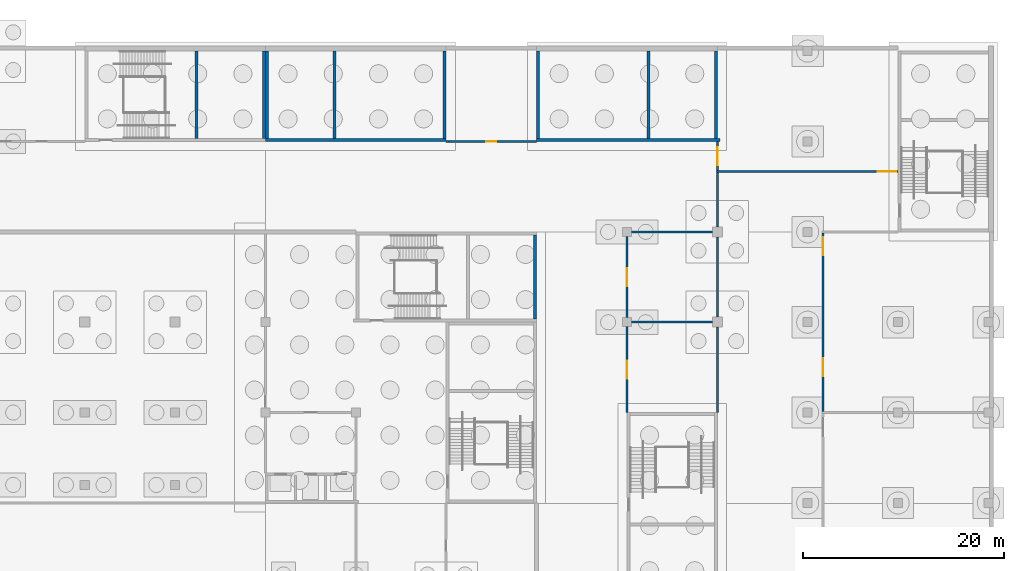
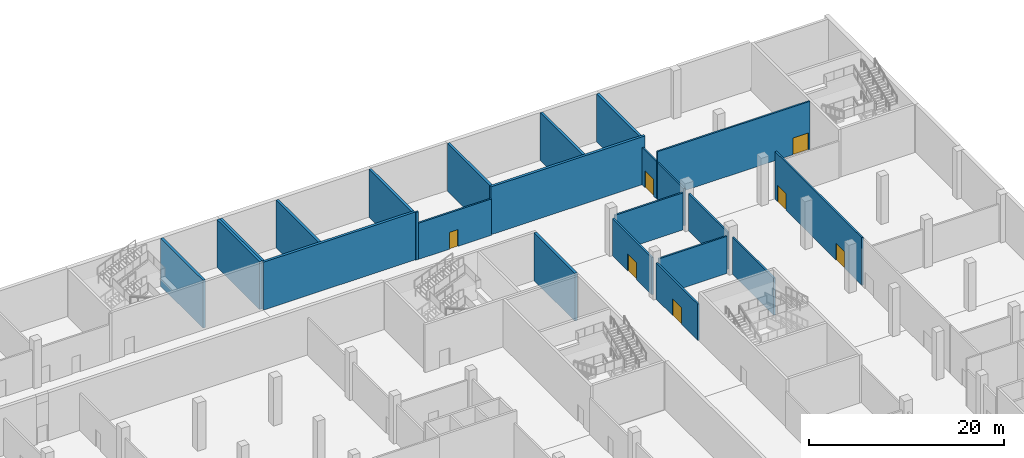
# One storey, part 21 of 42: 23 walls, 7 doors, 7 openings.
"""IFC4 building model written with IfcOpenShell, lengths in metres."""

from ifc_helpers import new_model, si_unit, direction, frame, frame_2d, origin, place, context, subcontext, project, spatial, rectangle, extrude, material, layer, layer_set, type_object, element, fill, save


model = new_model("IFC4")

# Units and contexts
model_context = context("Model", 3, precision=1e-05, world=origin(), true_north=direction((0.0, 1.0)))
body_context = subcontext(model_context, "Body", "Model", "MODEL_VIEW")
ifc_project = project(units=[si_unit("LENGTHUNIT", "METRE"), si_unit("AREAUNIT", "SQUARE_METRE"), si_unit("VOLUMEUNIT", "CUBIC_METRE"), si_unit("PLANEANGLEUNIT", "RADIAN"), si_unit("MASSUNIT", "GRAM", prefix="KILO")], contexts=[model_context])

# Site, building, storey
site_placement = place(None, origin())
site = spatial("IfcSite", under=ifc_project, at=site_placement, CompositionType="ELEMENT")
building_placement = place(site_placement, origin())
building = spatial("IfcBuilding", under=site, at=building_placement, Name="Silverbay Arena", CompositionType="ELEMENT")
storey_placement = place(building_placement, frame((0.0, 0.0, -6.0)))
storey = spatial("IfcBuildingStorey", under=building, at=storey_placement, Name="B1", CompositionType="ELEMENT", Elevation=-6.0)

# Walls
ifc_material_1 = material(Name="Concrete Grade C45", Category="concrete")
ifc_layer_1 = layer(ifc_material_1, 0.300048828125)
ifc_layer_set_1 = layer_set([ifc_layer_1], Name="Concrete Grade C45")
wall_type_1 = type_object("IfcWallType", Name="Core wall RC 300 EI 240", PredefinedType="SHEAR", material=ifc_layer_set_1)
for number, where, z_axis, x_axis, name in (
    (1, (161.85009765625, 135.300048828125, 0.0), (0.0, 0.0, 1.0), (0.0, 1.0, 0.0), "Core wall ST-N3 B1 end 2"),
    (2, (155.14990234375, 135.300048828125, 0.0), (0.0, 0.0, 1.0), (0.0, 1.0, 0.0), "Core wall ST-N3 B1 stair enclosure"),
):
    element("IfcWall", number, at=place(storey_placement, frame(where, z_axis=z_axis, x_axis=x_axis)), inside=storey, type_object=wall_type_1, Name=name, PredefinedType="SHEAR", context=body_context, shape_type="SweptSolid", body=[
        extrude(rectangle(XDim=8.699951171875, YDim=0.300048828125, at=frame_2d((4.35009765625, 0.0))), origin(), (0.0, 0.0, 1.0), 6.0),
    ])
wall_1_placement = place(storey_placement, frame((180.0, 135.14990234375, 0.0), z_axis=(0.0, 0.0, 1.0), x_axis=(-1.0, 0.0, 0.0)))
element("IfcWall", 3, at=wall_1_placement, inside=storey, type_object=wall_type_1, Name="Core wall ST-N4 B1 door side", PredefinedType="SHEAR", context=body_context, shape_type="SweptSolid", body=[
    extrude(rectangle(XDim=18.0, YDim=0.300048828125, at=frame_2d((9.0, 0.0))), origin(), (0.0, 0.0, 1.0), 6.0),
])
for number, where, z_axis, x_axis, name in (
    (4, (179.85009765625, 135.300048828125, 0.0), (0.0, 0.0, 1.0), (0.0, 1.0, 0.0), "Core wall ST-N4 B1 end 1"),
    (5, (162.14990234375, 135.300048828125, 0.0), (0.0, 0.0, 1.0), (0.0, 1.0, 0.0), "Core wall ST-N4 B1 end 2"),
    (6, (168.85009765625, 135.300048828125, 0.0), (0.0, 0.0, 1.0), (0.0, 1.0, 0.0), "Core wall ST-N4 B1 stair enclosure"),
):
    element("IfcWall", number, at=place(storey_placement, frame(where, z_axis=z_axis, x_axis=x_axis)), inside=storey, type_object=wall_type_1, Name=name, PredefinedType="SHEAR", context=body_context, shape_type="SweptSolid", body=[
        extrude(rectangle(XDim=8.699951171875, YDim=0.300048828125, at=frame_2d((4.35009765625, 0.0))), origin(), (0.0, 0.0, 1.0), 6.0),
    ])
wall_2_placement = place(storey_placement, frame((189.0, 135.14990234375, 0.0), z_axis=(0.0, 0.0, 1.0), x_axis=(1.0, 0.0, 0.0)))
element("IfcWall", 7, at=wall_2_placement, inside=storey, type_object=wall_type_1, Name="Core wall ST-N6 B1 door side", PredefinedType="SHEAR", context=body_context, shape_type="SweptSolid", body=[
    extrude(rectangle(XDim=18.25, YDim=0.300048828125, at=frame_2d((9.125, 0.0))), origin(), (0.0, 0.0, 1.0), 6.0),
])
for number, where, z_axis, x_axis, name in (
    (8, (189.14990234375, 135.300048828125, 0.0), (0.0, 0.0, 1.0), (0.0, 1.0, 0.0), "Core wall ST-N6 B1 end 1"),
    (9, (206.85009765625, 135.300048828125, 0.0), (0.0, 0.0, 1.0), (0.0, 1.0, 0.0), "Core wall ST-N6 B1 end 2"),
    (10, (200.14990234375, 135.300048828125, 0.0), (0.0, 0.0, 1.0), (0.0, 1.0, 0.0), "Core wall ST-N6 B1 stair enclosure"),
):
    element("IfcWall", number, at=place(storey_placement, frame(where, z_axis=z_axis, x_axis=x_axis)), inside=storey, type_object=wall_type_1, Name=name, PredefinedType="SHEAR", context=body_context, shape_type="SweptSolid", body=[
        extrude(rectangle(XDim=8.699951171875, YDim=0.300048828125, at=frame_2d((4.35009765625, 0.0))), origin(), (0.0, 0.0, 1.0), 6.0),
    ])
wall_3_placement = place(storey_placement, frame((188.85009765625, 117.300048828125, 0.0), z_axis=(0.0, 0.0, 1.0), x_axis=(0.0, 1.0, 0.0)))
element("IfcWall", 11, at=wall_3_placement, inside=storey, type_object=wall_type_1, Name="Core wall ST-NE1 B1 end 2", PredefinedType="SHEAR", context=body_context, shape_type="SweptSolid", body=[
    extrude(rectangle(XDim=8.39990234375, YDim=0.300048828125, at=frame_2d((4.199951171875, 0.0))), origin(), (0.0, 0.0, 1.0), 6.0),
])
ifc_material_2 = material(Name="Masonry blockwork partition", Category="masonry")
ifc_layer_2 = layer(ifc_material_2, 0.199951171875)
ifc_layer_set_2 = layer_set([ifc_layer_2], Name="Masonry blockwork partition")
wall_type_2 = type_object("IfcWallType", Name="Partition 200 EI 240", PredefinedType="PARTITIONING", material=ifc_layer_set_2)
for number, where, z_axis, x_axis, name in (
    (12, (198.449951171875, 117.0, 0.0), (0.0, 0.0, 1.0), (1.0, 0.0, 0.0), "Partition wall"),
    (13, (198.449951171875, 126.0, 0.0), (0.0, 0.0, 1.0), (1.0, 0.0, 0.0), "Partition wall"),
):
    element("IfcWall", number, at=place(storey_placement, frame(where, z_axis=z_axis, x_axis=x_axis)), inside=storey, type_object=wall_type_2, Name=name, PredefinedType="PARTITIONING", context=body_context, shape_type="SweptSolid", body=[
        extrude(rectangle(XDim=8.050048828125, YDim=0.199951171875, at=frame_2d((4.02490234375, 0.0))), origin(), (0.0, 0.0, 1.0), 4.64990234375),
    ])

# Wall, opening, door
wall_4_placement = place(storey_placement, frame((206.89990234375, 132.0, 0.0), z_axis=(0.0, 0.0, 1.0), x_axis=(1.0, 0.0, 0.0)))
wall_4 = element("IfcWall", 14, at=wall_4_placement, inside=storey, type_object=wall_type_2, Name="Partition wall", PredefinedType="PARTITIONING", context=body_context, shape_type="SweptSolid", body=[
    extrude(rectangle(XDim=18.10009765625, YDim=0.199951171875, at=frame_2d((9.050048828125, 0.0))), origin(), (0.0, 0.0, 1.0), 6.0),
])
opening_1_placement = place(wall_4_placement, frame((16.10009765625, 0.0, 0.0)))
opening_1 = element("IfcOpeningElement", 15, at=opening_1_placement, cuts=wall_4, Name="Opening B1-069", PredefinedType="OPENING", context=body_context, shape_type="SweptSolid", body=[
    extrude(rectangle(XDim=1.800048828125, YDim=2.10009765625, at=frame_2d((0.89990234375, 1.050048828125))), frame((0.0, 0.10986328125, 0.0), z_axis=(0.0, -1.0, 0.0), x_axis=(1.0, 0.0, 0.0)), (0.0, 0.0, 1.0), 0.219970703125),
])
ifc_material_3 = material(Name="Steel faced timber", Category="steel")
door_type_1 = type_object("IfcDoorType", Name="Double leaf door 1800 x 2100 FD240", OperationType="DOUBLE_DOOR_DOUBLE_SWING", PredefinedType="DOOR", material=ifc_material_3)
door_1_placement = place(opening_1_placement, origin())
door_1 = element("IfcDoor", 16, at=door_1_placement, inside=storey, type_object=door_type_1, Name="Door B1-069", OperationType="DOUBLE_DOOR_DOUBLE_SWING", OverallHeight=2.10009765625, OverallWidth=1.800048828125, PredefinedType="DOOR", context=body_context, shape_type="SweptSolid", body=[
    extrude(rectangle(XDim=1.800048828125, YDim=2.10009765625, at=frame_2d((0.89990234375, 1.050048828125))), frame((0.0, 0.02490234375, 0.0), z_axis=(0.0, -1.0, 0.0), x_axis=(1.0, 0.0, 0.0)), (0.0, 0.0, 1.0), 0.050048828125),
])
fill(opening_1, door_1)

wall_5_placement = place(storey_placement, frame((180.300048828125, 135.0, 0.0), z_axis=(0.0, 0.0, 1.0), x_axis=(1.0, 0.0, 0.0)))
wall_5 = element("IfcWall", 17, at=wall_5_placement, inside=storey, type_object=wall_type_2, Name="Partition wall", PredefinedType="PARTITIONING", context=body_context, shape_type="SweptSolid", body=[
    extrude(rectangle(XDim=8.699951171875, YDim=0.199951171875, at=frame_2d((4.35009765625, 0.0))), origin(), (0.0, 0.0, 1.0), 4.550048828125),
])
opening_2_placement = place(wall_5_placement, frame((3.699951171875, 0.0, 0.0)))
opening_2 = element("IfcOpeningElement", 18, at=opening_2_placement, cuts=wall_5, Name="Opening B1-010", PredefinedType="OPENING", context=body_context, shape_type="SweptSolid", body=[
    extrude(rectangle(XDim=1.0, YDim=2.10009765625, at=frame_2d((0.5, 1.050048828125))), frame((0.0, 0.10986328125, 0.0), z_axis=(0.0, -1.0, 0.0), x_axis=(1.0, 0.0, 0.0)), (0.0, 0.0, 1.0), 0.219970703125),
])
ifc_material_4 = material(Name="Steel faced timber", Category="steel")
door_type_2 = type_object("IfcDoorType", Name="Single leaf door 1000 x 2100 FD120", OperationType="SINGLE_SWING_LEFT", PredefinedType="DOOR", material=ifc_material_4)
door_2_placement = place(opening_2_placement, origin())
door_2 = element("IfcDoor", 19, at=door_2_placement, inside=storey, type_object=door_type_2, Name="Door B1-010", OperationType="SINGLE_SWING_RIGHT", OverallHeight=2.10009765625, OverallWidth=1.0, PredefinedType="DOOR", context=body_context, shape_type="SweptSolid", body=[
    extrude(rectangle(XDim=1.0, YDim=2.10009765625, at=frame_2d((0.5, 1.050048828125))), frame((0.0, 0.02490234375, 0.0), z_axis=(0.0, -1.0, 0.0), x_axis=(1.0, 0.0, 0.0)), (0.0, 0.0, 1.0), 0.050048828125),
])
fill(opening_2, door_2)

wall_6_placement = place(storey_placement, frame((198.0, 108.0, 0.0), z_axis=(0.0, 0.0, 1.0), x_axis=(0.0, 1.0, 0.0)))
wall_6 = element("IfcWall", 20, at=wall_6_placement, inside=storey, type_object=wall_type_2, Name="Partition wall", PredefinedType="PARTITIONING", context=body_context, shape_type="SweptSolid", body=[
    extrude(rectangle(XDim=8.550048828125, YDim=0.199951171875, at=frame_2d((4.27490234375, 0.0))), origin(), (0.0, 0.0, 1.0), 4.550048828125),
])
opening_3_placement = place(wall_6_placement, frame((3.375, 0.0, 0.0)))
opening_3 = element("IfcOpeningElement", 21, at=opening_3_placement, cuts=wall_6, Name="Opening B1-019", PredefinedType="OPENING", context=body_context, shape_type="SweptSolid", body=[
    extrude(rectangle(XDim=1.800048828125, YDim=2.10009765625, at=frame_2d((0.89990234375, 1.050048828125))), frame((0.0, 0.10986328125, 0.0), z_axis=(0.0, -1.0, 0.0), x_axis=(1.0, 0.0, 0.0)), (0.0, 0.0, 1.0), 0.219970703125),
])
ifc_material_5 = material(Name="Steel faced timber", Category="steel")
door_type_3 = type_object("IfcDoorType", Name="Double leaf door 1800 x 2100 FD120", OperationType="DOUBLE_DOOR_DOUBLE_SWING", PredefinedType="DOOR", material=ifc_material_5)
door_3_placement = place(opening_3_placement, frame((1.800048828125, 0.0, 0.0), z_axis=(0.0, 0.0, 1.0), x_axis=(-1.0, 0.0, 0.0)))
door_3 = element("IfcDoor", 22, at=door_3_placement, inside=storey, type_object=door_type_3, Name="Door B1-019", OperationType="DOUBLE_DOOR_DOUBLE_SWING", OverallHeight=2.10009765625, OverallWidth=1.800048828125, PredefinedType="DOOR", context=body_context, shape_type="SweptSolid", body=[
    extrude(rectangle(XDim=1.800048828125, YDim=2.10009765625, at=frame_2d((0.89990234375, 1.050048828125))), frame((0.0, 0.02490234375, 0.0), z_axis=(0.0, -1.0, 0.0), x_axis=(1.0, 0.0, 0.0)), (0.0, 0.0, 1.0), 0.050048828125),
])
fill(opening_3, door_3)

wall_7_placement = place(storey_placement, frame((198.0, 117.449951171875, 0.0), z_axis=(0.0, 0.0, 1.0), x_axis=(0.0, 1.0, 0.0)))
wall_7 = element("IfcWall", 23, at=wall_7_placement, inside=storey, type_object=wall_type_2, Name="Partition wall", PredefinedType="PARTITIONING", context=body_context, shape_type="SweptSolid", body=[
    extrude(rectangle(XDim=8.10009765625, YDim=0.199951171875, at=frame_2d((4.050048828125, 0.0))), origin(), (0.0, 0.0, 1.0), 4.64990234375),
])
opening_4_placement = place(wall_7_placement, frame((3.14990234375, 0.0, 0.0)))
opening_4 = element("IfcOpeningElement", 24, at=opening_4_placement, cuts=wall_7, Name="Opening B1-020", PredefinedType="OPENING", context=body_context, shape_type="SweptSolid", body=[
    extrude(rectangle(XDim=1.800048828125, YDim=2.10009765625, at=frame_2d((0.89990234375, 1.050048828125))), frame((0.0, 0.10986328125, 0.0), z_axis=(0.0, -1.0, 0.0), x_axis=(1.0, 0.0, 0.0)), (0.0, 0.0, 1.0), 0.219970703125),
])
door_4_placement = place(opening_4_placement, frame((1.800048828125, 0.0, 0.0), z_axis=(0.0, 0.0, 1.0), x_axis=(-1.0, 0.0, 0.0)))
door_4 = element("IfcDoor", 25, at=door_4_placement, inside=storey, type_object=door_type_3, Name="Door B1-020", OperationType="DOUBLE_DOOR_DOUBLE_SWING", OverallHeight=2.10009765625, OverallWidth=1.800048828125, PredefinedType="DOOR", context=body_context, shape_type="SweptSolid", body=[
    extrude(rectangle(XDim=1.800048828125, YDim=2.10009765625, at=frame_2d((0.89990234375, 1.050048828125))), frame((0.0, 0.02490234375, 0.0), z_axis=(0.0, -1.0, 0.0), x_axis=(1.0, 0.0, 0.0)), (0.0, 0.0, 1.0), 0.050048828125),
])
fill(opening_4, door_4)

# Walls
wall_8_placement = place(storey_placement, frame((207.0, 108.0, 0.0), z_axis=(0.0, 0.0, 1.0), x_axis=(0.0, 1.0, 0.0)))
element("IfcWall", 26, at=wall_8_placement, inside=storey, type_object=wall_type_2, Name="Partition wall", PredefinedType="PARTITIONING", context=body_context, shape_type="SweptSolid", body=[
    extrude(rectangle(XDim=8.5, YDim=0.199951171875, at=frame_2d((4.25, 0.0))), origin(), (0.0, 0.0, 1.0), 4.64990234375),
])
wall_9_placement = place(storey_placement, frame((207.0, 117.5, 0.0), z_axis=(0.0, 0.0, 1.0), x_axis=(0.0, 1.0, 0.0)))
element("IfcWall", 27, at=wall_9_placement, inside=storey, type_object=wall_type_2, Name="Partition wall", PredefinedType="PARTITIONING", context=body_context, shape_type="SweptSolid", body=[
    extrude(rectangle(XDim=8.0, YDim=0.199951171875, at=frame_2d((4.0, 0.0))), origin(), (0.0, 0.0, 1.0), 4.64990234375),
])
wall_10_placement = place(storey_placement, frame((207.0, 126.5, 0.0), z_axis=(0.0, 0.0, 1.0), x_axis=(0.0, 1.0, 0.0)))
element("IfcWall", 28, at=wall_10_placement, inside=storey, type_object=wall_type_2, Name="Partition wall", PredefinedType="PARTITIONING", context=body_context, shape_type="SweptSolid", body=[
    extrude(rectangle(XDim=5.39990234375, YDim=0.199951171875, at=frame_2d((2.699951171875, 0.0))), origin(), (0.0, 0.0, 1.0), 4.64990234375),
])

# Wall, opening, door
wall_11_placement = place(storey_placement, frame((207.0, 132.10009765625, 0.0), z_axis=(0.0, 0.0, 1.0), x_axis=(0.0, 1.0, 0.0)))
wall_11 = element("IfcWall", 29, at=wall_11_placement, inside=storey, type_object=wall_type_2, Name="Partition wall", PredefinedType="PARTITIONING", context=body_context, shape_type="SweptSolid", body=[
    extrude(rectangle(XDim=2.89990234375, YDim=0.199951171875, at=frame_2d((1.449951171875, 0.0))), origin(), (0.0, 0.0, 1.0), 4.64990234375),
])
opening_5_placement = place(wall_11_placement, frame((0.550048828125, 0.0, 0.0)))
opening_5 = element("IfcOpeningElement", 30, at=opening_5_placement, cuts=wall_11, Name="Opening B1-036", PredefinedType="OPENING", context=body_context, shape_type="SweptSolid", body=[
    extrude(rectangle(XDim=1.800048828125, YDim=2.10009765625, at=frame_2d((0.89990234375, 1.050048828125))), frame((0.0, 0.10986328125, 0.0), z_axis=(0.0, -1.0, 0.0), x_axis=(1.0, 0.0, 0.0)), (0.0, 0.0, 1.0), 0.219970703125),
])
door_5_placement = place(opening_5_placement, frame((1.800048828125, 0.0, 0.0), z_axis=(0.0, 0.0, 1.0), x_axis=(-1.0, 0.0, 0.0)))
door_5 = element("IfcDoor", 31, at=door_5_placement, inside=storey, type_object=door_type_3, Name="Door B1-036", OperationType="DOUBLE_DOOR_DOUBLE_SWING", OverallHeight=2.10009765625, OverallWidth=1.800048828125, PredefinedType="DOOR", context=body_context, shape_type="SweptSolid", body=[
    extrude(rectangle(XDim=1.800048828125, YDim=2.10009765625, at=frame_2d((0.89990234375, 1.050048828125))), frame((0.0, 0.02490234375, 0.0), z_axis=(0.0, -1.0, 0.0), x_axis=(1.0, 0.0, 0.0)), (0.0, 0.0, 1.0), 0.050048828125),
])
fill(opening_5, door_5)

# Wall, openings, doors
wall_12_placement = place(storey_placement, frame((217.5, 108.10009765625, 0.0), z_axis=(0.0, 0.0, 1.0), x_axis=(0.0, 1.0, 0.0)))
wall_12 = element("IfcWall", 32, at=wall_12_placement, inside=storey, type_object=wall_type_2, Name="Partition wall", PredefinedType="PARTITIONING", context=body_context, shape_type="SweptSolid", body=[
    extrude(rectangle(XDim=17.7998046875, YDim=0.199951171875, at=frame_2d((8.89990234375, 0.0))), origin(), (0.0, 0.0, 1.0), 6.0),
])
opening_6_placement = place(wall_12_placement, frame((3.5, 0.0, 0.0)))
opening_6 = element("IfcOpeningElement", 33, at=opening_6_placement, cuts=wall_12, Name="Opening B1-034", PredefinedType="OPENING", context=body_context, shape_type="SweptSolid", body=[
    extrude(rectangle(XDim=1.800048828125, YDim=2.10009765625, at=frame_2d((0.89990234375, 1.050048828125))), frame((0.0, 0.10986328125, 0.0), z_axis=(0.0, -1.0, 0.0), x_axis=(1.0, 0.0, 0.0)), (0.0, 0.0, 1.0), 0.219970703125),
])
opening_7_placement = place(wall_12_placement, frame((15.548095703125, 0.0, 0.0)))
opening_7 = element("IfcOpeningElement", 34, at=opening_7_placement, cuts=wall_12, Name="Opening B1-067", PredefinedType="OPENING", context=body_context, shape_type="SweptSolid", body=[
    extrude(rectangle(XDim=1.800048828125, YDim=2.10009765625, at=frame_2d((0.89990234375, 1.050048828125))), frame((0.0, 0.10986328125, 0.0), z_axis=(0.0, -1.0, 0.0), x_axis=(1.0, 0.0, 0.0)), (0.0, 0.0, 1.0), 0.219970703125),
])
door_6_placement = place(opening_6_placement, frame((1.800048828125, 0.0, 0.0), z_axis=(0.0, 0.0, 1.0), x_axis=(-1.0, 0.0, 0.0)))
door_6 = element("IfcDoor", 35, at=door_6_placement, inside=storey, type_object=door_type_3, Name="Door B1-034", OperationType="DOUBLE_DOOR_DOUBLE_SWING", OverallHeight=2.10009765625, OverallWidth=1.800048828125, PredefinedType="DOOR", context=body_context, shape_type="SweptSolid", body=[
    extrude(rectangle(XDim=1.800048828125, YDim=2.10009765625, at=frame_2d((0.89990234375, 1.050048828125))), frame((0.0, 0.02490234375, 0.0), z_axis=(0.0, -1.0, 0.0), x_axis=(1.0, 0.0, 0.0)), (0.0, 0.0, 1.0), 0.050048828125),
])
fill(opening_6, door_6)
door_7_placement = place(opening_7_placement, frame((1.800048828125, 0.0, 0.0), z_axis=(0.0, 0.0, 1.0), x_axis=(-1.0, 0.0, 0.0)))
door_7 = element("IfcDoor", 36, at=door_7_placement, inside=storey, type_object=door_type_3, Name="Door B1-067", OperationType="DOUBLE_DOOR_DOUBLE_SWING", OverallHeight=2.10009765625, OverallWidth=1.800048828125, PredefinedType="DOOR", context=body_context, shape_type="SweptSolid", body=[
    extrude(rectangle(XDim=1.800048828125, YDim=2.10009765625, at=frame_2d((0.89990234375, 1.050048828125))), frame((0.0, 0.02490234375, 0.0), z_axis=(0.0, -1.0, 0.0), x_axis=(1.0, 0.0, 0.0)), (0.0, 0.0, 1.0), 0.050048828125),
])
fill(opening_7, door_7)

# Wall
wall_13_placement = place(storey_placement, frame((180.0, 135.0, 0.0), z_axis=(0.0, 0.0, 1.0), x_axis=(1.0, 0.0, 0.0)))
element("IfcWall", 37, at=wall_13_placement, inside=storey, type_object=wall_type_2, Name="Partition wall", PredefinedType="PARTITIONING", context=body_context, shape_type="SweptSolid", body=[
    extrude(rectangle(XDim=0.300048828125, YDim=0.199951171875, at=frame_2d((0.14990234375, 0.0))), origin(), (0.0, 0.0, 1.0), 6.0),
])

save(model, "model.ifc")
